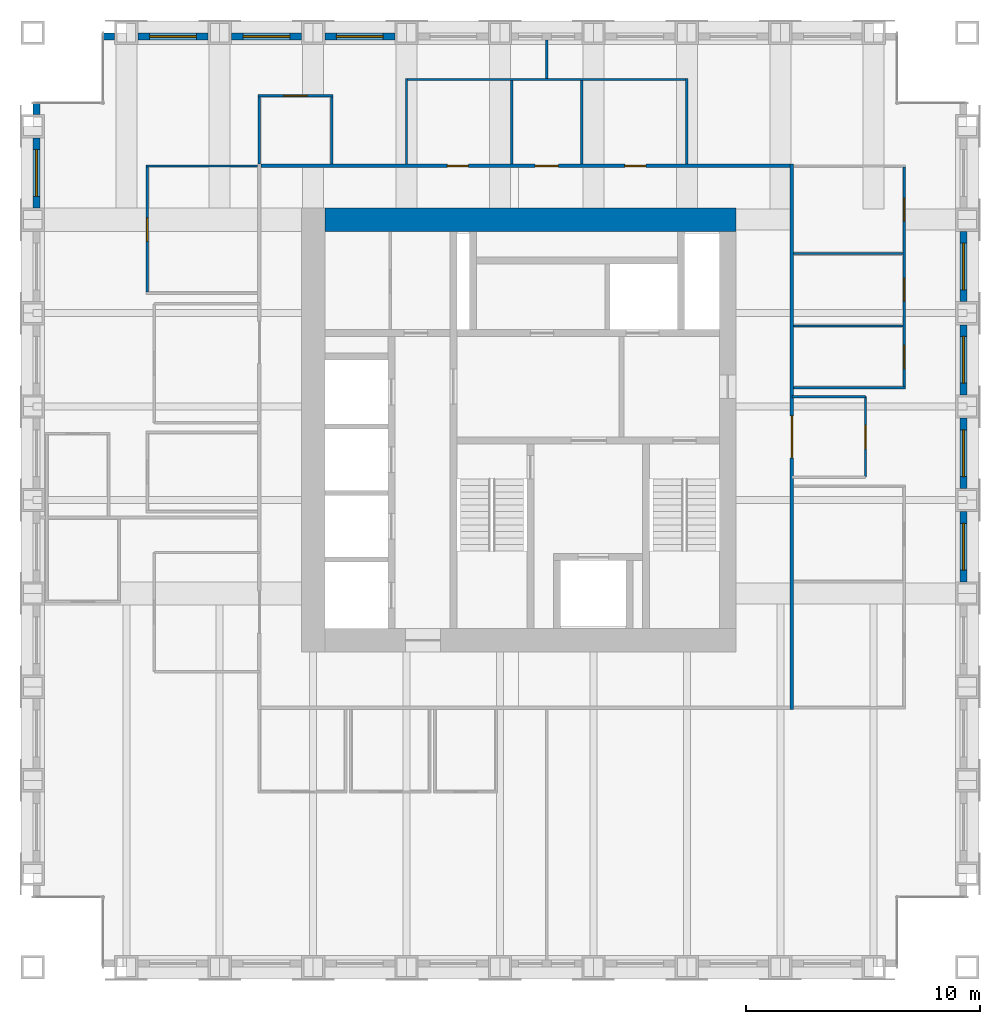
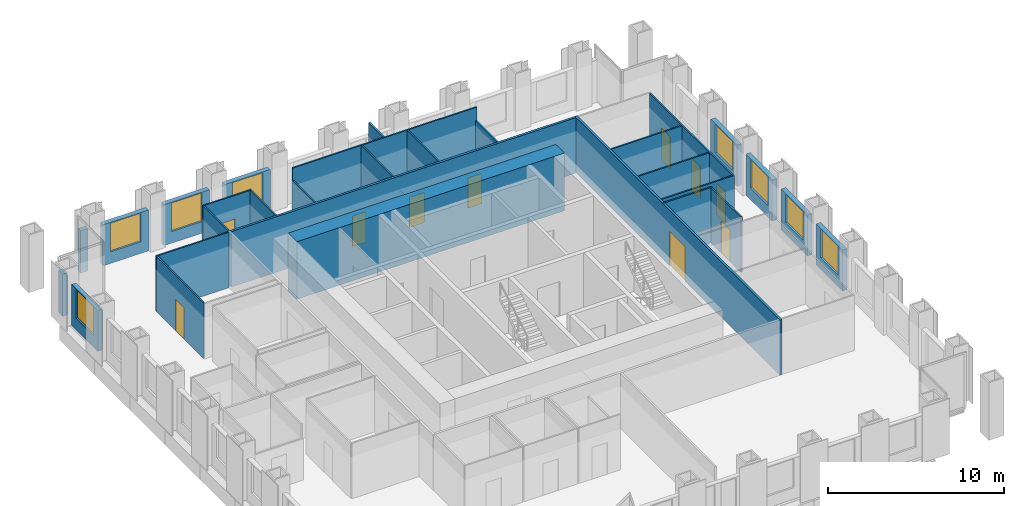
# One storey, part 10 of 13: 30 walls, 10 doors, 8 windows, 18 openings.
"""IFC4 building model written with IfcOpenShell, lengths in metres."""

from ifc_helpers import new_model, si_unit, direction, frame, frame_2d, origin, place, context, subcontext, project, spatial, rectangle, extrude, material, layer, layer_set, type_object, element, fill, save


model = new_model("IFC4")

# Units and contexts
model_context = context("Model", 3, precision=1e-05, world=origin(), true_north=direction((0.0, 1.0)))
body_context = subcontext(model_context, "Body", "Model", "MODEL_VIEW")
ifc_project = project(units=[si_unit("LENGTHUNIT", "METRE"), si_unit("AREAUNIT", "SQUARE_METRE"), si_unit("VOLUMEUNIT", "CUBIC_METRE"), si_unit("PLANEANGLEUNIT", "RADIAN"), si_unit("MASSUNIT", "GRAM", prefix="KILO")], contexts=[model_context])

# Site, building, storey
site_placement = place(None, origin())
site = spatial("IfcSite", under=ifc_project, at=site_placement, CompositionType="ELEMENT")
building_placement = place(site_placement, origin())
building = spatial("IfcBuilding", under=site, at=building_placement, Name="Rimbunsela Tower", CompositionType="ELEMENT")
storey_placement = place(building_placement, frame((0.0, 0.0, 286.199951171875)))
storey = spatial("IfcBuildingStorey", under=building, at=storey_placement, Name="L69", CompositionType="ELEMENT", Elevation=286.199951171875)

# Walls
ifc_material_1 = material(Name="Concrete fc' 80 MPa", Category="concrete")
ifc_layer_1 = layer(ifc_material_1, 1.0)
ifc_layer_set_1 = layer_set([ifc_layer_1], Name="Core wall 1000")
wall_type_1 = type_object("IfcWallType", Name="Core wall 1000", PredefinedType="SHEAR", material=ifc_layer_set_1)
wall_1_placement = place(storey_placement, frame((18.5, 36.0, -0.14990234375), z_axis=(0.0, 0.0, 1.0), x_axis=(1.0, 0.0, 0.0)))
element("IfcWall", 1, at=wall_1_placement, inside=storey, type_object=wall_type_1, Name="Core wall north", PredefinedType="SHEAR", context=body_context, shape_type="SweptSolid", body=[
    extrude(rectangle(XDim=17.60009765625, YDim=1.0, at=frame_2d((8.800048828125, 0.0))), origin(), (0.0, 0.0, 1.0), 4.0),
])
ifc_material_2 = material(Name="Gypsum board on steel studs", Category="steel")
ifc_layer_2 = layer(ifc_material_2, 0.10009765625)
ifc_layer_set_2 = layer_set([ifc_layer_2], Name="Office partition 100")
wall_type_2 = type_object("IfcWallType", Name="Office partition 100", PredefinedType="PARTITIONING", material=ifc_layer_set_2)
wall_2_placement = place(storey_placement, frame((38.574951171875, 28.800048828125, 0.0), z_axis=(0.0, 0.0, 1.0), x_axis=(1.0, 0.0, 0.0)))
element("IfcWall", 2, at=wall_2_placement, inside=storey, type_object=wall_type_2, Name="Office partition", PredefinedType="PARTITIONING", context=body_context, shape_type="SweptSolid", body=[
    extrude(rectangle(XDim=4.775146484375, YDim=0.10009765625, at=frame_2d((2.3876953125, 0.0))), origin(), (0.0, 0.0, 1.0), 3.85009765625),
])
for number, where, z_axis, x_axis, name in (
    (3, (38.574951171875, 31.449951171875, 0.0), (0.0, 0.0, 1.0), (1.0, 0.0, 0.0), "Office partition"),
    (4, (38.574951171875, 34.550048828125, 0.0), (0.0, 0.0, 1.0), (1.0, 0.0, 0.0), "Office partition"),
):
    element("IfcWall", number, at=place(storey_placement, frame(where, z_axis=z_axis, x_axis=x_axis)), inside=storey, type_object=wall_type_2, Name=name, PredefinedType="PARTITIONING", context=body_context, shape_type="SweptSolid", body=[
        extrude(rectangle(XDim=4.675048828125, YDim=0.10009765625, at=frame_2d((2.33740234375, 0.0))), origin(), (0.0, 0.0, 1.0), 3.85009765625),
    ])
wall_3_placement = place(storey_placement, frame((10.85009765625, 38.300048828125, 0.0), z_axis=(0.0, 0.0, 1.0), x_axis=(1.0, 0.0, 0.0)))
element("IfcWall", 5, at=wall_3_placement, inside=storey, type_object=wall_type_2, Name="Office partition", PredefinedType="PARTITIONING", context=body_context, shape_type="SweptSolid", body=[
    extrude(rectangle(XDim=4.77490234375, YDim=0.10009765625, at=frame_2d((2.387451171875, 0.0))), origin(), (0.0, 0.0, 1.0), 3.85009765625),
])

# Wall, opening, door
wall_4_placement = place(storey_placement, frame((15.64990234375, 41.300048828125, 0.0), z_axis=(0.0, 0.0, 1.0), x_axis=(1.0, 0.0, 0.0)))
wall_4 = element("IfcWall", 6, at=wall_4_placement, inside=storey, type_object=wall_type_2, Name="Office partition", PredefinedType="PARTITIONING", context=body_context, shape_type="SweptSolid", body=[
    extrude(rectangle(XDim=3.2001953125, YDim=0.10009765625, at=frame_2d((1.60009765625, 0.0))), origin(), (0.0, 0.0, 1.0), 3.85009765625),
])
opening_1_placement = place(wall_4_placement, frame((1.10009765625, 0.0, 0.0)))
opening_1 = element("IfcOpeningElement", 7, at=opening_1_placement, cuts=wall_4, Name="Opening D16", PredefinedType="OPENING", context=body_context, shape_type="SweptSolid", body=[
    extrude(rectangle(XDim=1.0, YDim=2.199951171875, at=frame_2d((0.5, 1.10009765625))), frame((0.0, 0.06005859375, 0.0), z_axis=(0.0, -1.0, 0.0), x_axis=(1.0, 0.0, 0.0)), (0.0, 0.0, 1.0), 0.1201171875),
])
ifc_material_3 = material(Name="Timber door", Category="wood")
door_type_1 = type_object("IfcDoorType", Name="Office door 1000", OperationType="SINGLE_SWING_LEFT", PredefinedType="DOOR", material=ifc_material_3)
door_1_placement = place(opening_1_placement, origin())
door_1 = element("IfcDoor", 8, at=door_1_placement, inside=storey, type_object=door_type_1, Name="Office door", OperationType="SINGLE_SWING_LEFT", OverallHeight=2.199951171875, OverallWidth=1.0, PredefinedType="DOOR", context=body_context, shape_type="SweptSolid", body=[
    extrude(rectangle(XDim=1.0, YDim=2.199951171875, at=frame_2d((0.5, 1.10009765625))), frame((0.0, 0.02490234375, 0.0), z_axis=(0.0, -1.0, 0.0), x_axis=(1.0, 0.0, 0.0)), (0.0, 0.0, 1.0), 0.050048828125),
])
fill(opening_1, door_1)

wall_5_placement = place(storey_placement, frame((10.89990234375, 32.89990234375, 0.0), z_axis=(0.0, 0.0, 1.0), x_axis=(0.0, 1.0, 0.0)))
wall_5 = element("IfcWall", 9, at=wall_5_placement, inside=storey, type_object=wall_type_2, Name="Office partition", PredefinedType="PARTITIONING", context=body_context, shape_type="SweptSolid", body=[
    extrude(rectangle(XDim=5.35009765625, YDim=0.10009765625, at=frame_2d((2.675048828125, 0.0))), origin(), (0.0, 0.0, 1.0), 3.85009765625),
])
opening_2_placement = place(wall_5_placement, frame((2.175048828125, 0.0, 0.0)))
opening_2 = element("IfcOpeningElement", 10, at=opening_2_placement, cuts=wall_5, Name="Opening D17", PredefinedType="OPENING", context=body_context, shape_type="SweptSolid", body=[
    extrude(rectangle(XDim=1.0, YDim=2.199951171875, at=frame_2d((0.5, 1.10009765625))), frame((0.0, 0.06005859375, 0.0), z_axis=(0.0, -1.0, 0.0), x_axis=(1.0, 0.0, 0.0)), (0.0, 0.0, 1.0), 0.1201171875),
])
ifc_material_4 = material(Name="Glazed aluminium door", Category="aluminium")
door_type_2 = type_object("IfcDoorType", Name="Meeting room door 1000 glazed", OperationType="SINGLE_SWING_RIGHT", PredefinedType="DOOR", material=ifc_material_4)
door_2_placement = place(opening_2_placement, origin())
door_2 = element("IfcDoor", 11, at=door_2_placement, inside=storey, type_object=door_type_2, Name="Meeting room door", OperationType="SINGLE_SWING_RIGHT", OverallHeight=2.199951171875, OverallWidth=1.0, PredefinedType="DOOR", context=body_context, shape_type="SweptSolid", body=[
    extrude(rectangle(XDim=1.0, YDim=2.199951171875, at=frame_2d((0.5, 1.10009765625))), frame((0.0, 0.02490234375, 0.0), z_axis=(0.0, -1.0, 0.0), x_axis=(1.0, 0.0, 0.0)), (0.0, 0.0, 1.0), 0.050048828125),
])
fill(opening_2, door_2)

# Walls
for number, where, z_axis, x_axis, name in (
    (12, (15.699951171875, 38.375, 0.0), (0.0, 0.0, 1.0), (0.0, 1.0, 0.0), "Office partition"),
    (13, (18.800048828125, 38.375, 0.0), (0.0, 0.0, 1.0), (0.0, 1.0, 0.0), "Office partition"),
):
    element("IfcWall", number, at=place(storey_placement, frame(where, z_axis=z_axis, x_axis=x_axis)), inside=storey, type_object=wall_type_2, Name=name, PredefinedType="PARTITIONING", context=body_context, shape_type="SweptSolid", body=[
        extrude(rectangle(XDim=2.875, YDim=0.10009765625, at=frame_2d((1.4375, 0.0))), origin(), (0.0, 0.0, 1.0), 3.85009765625),
    ])

# Wall, openings, doors
wall_6_placement = place(storey_placement, frame((43.300048828125, 28.85009765625, 0.0), z_axis=(0.0, 0.0, 1.0), x_axis=(0.0, 1.0, 0.0)))
wall_6 = element("IfcWall", 14, at=wall_6_placement, inside=storey, type_object=wall_type_2, Name="Office partition", PredefinedType="PARTITIONING", context=body_context, shape_type="SweptSolid", body=[
    extrude(rectangle(XDim=9.39990234375, YDim=0.10009765625, at=frame_2d((4.699951171875, 0.0))), origin(), (0.0, 0.0, 1.0), 3.85009765625),
])
opening_3_placement = place(wall_6_placement, frame((0.77490234375, 0.0, 0.0)))
opening_3 = element("IfcOpeningElement", 15, at=opening_3_placement, cuts=wall_6, Name="Opening D16", PredefinedType="OPENING", context=body_context, shape_type="SweptSolid", body=[
    extrude(rectangle(XDim=1.0, YDim=2.199951171875, at=frame_2d((0.5, 1.10009765625))), frame((0.0, 0.06005859375, 0.0), z_axis=(0.0, -1.0, 0.0), x_axis=(1.0, 0.0, 0.0)), (0.0, 0.0, 1.0), 0.1201171875),
])
opening_4_placement = place(wall_6_placement, frame((3.64990234375, 0.0, 0.0)))
opening_4 = element("IfcOpeningElement", 16, at=opening_4_placement, cuts=wall_6, Name="Opening D16", PredefinedType="OPENING", context=body_context, shape_type="SweptSolid", body=[
    extrude(rectangle(XDim=1.0, YDim=2.199951171875, at=frame_2d((0.5, 1.10009765625))), frame((0.0, 0.06005859375, 0.0), z_axis=(0.0, -1.0, 0.0), x_axis=(1.0, 0.0, 0.0)), (0.0, 0.0, 1.0), 0.1201171875),
])
opening_5_placement = place(wall_6_placement, frame((7.074951171875, 0.0, 0.0)))
opening_5 = element("IfcOpeningElement", 17, at=opening_5_placement, cuts=wall_6, Name="Opening D17", PredefinedType="OPENING", context=body_context, shape_type="SweptSolid", body=[
    extrude(rectangle(XDim=1.0, YDim=2.199951171875, at=frame_2d((0.5, 1.10009765625))), frame((0.0, 0.06005859375, 0.0), z_axis=(0.0, -1.0, 0.0), x_axis=(1.0, 0.0, 0.0)), (0.0, 0.0, 1.0), 0.1201171875),
])
door_3_placement = place(opening_5_placement, origin())
door_3 = element("IfcDoor", 18, at=door_3_placement, inside=storey, type_object=door_type_2, Name="Meeting room door", OperationType="SINGLE_SWING_RIGHT", OverallHeight=2.199951171875, OverallWidth=1.0, PredefinedType="DOOR", context=body_context, shape_type="SweptSolid", body=[
    extrude(rectangle(XDim=1.0, YDim=2.199951171875, at=frame_2d((0.5, 1.10009765625))), frame((0.0, 0.02490234375, 0.0), z_axis=(0.0, -1.0, 0.0), x_axis=(1.0, 0.0, 0.0)), (0.0, 0.0, 1.0), 0.050048828125),
])
fill(opening_5, door_3)
door_4_placement = place(opening_3_placement, origin())
door_4 = element("IfcDoor", 19, at=door_4_placement, inside=storey, type_object=door_type_1, Name="Office door", OperationType="SINGLE_SWING_LEFT", OverallHeight=2.199951171875, OverallWidth=1.0, PredefinedType="DOOR", context=body_context, shape_type="SweptSolid", body=[
    extrude(rectangle(XDim=1.0, YDim=2.199951171875, at=frame_2d((0.5, 1.10009765625))), frame((0.0, 0.02490234375, 0.0), z_axis=(0.0, -1.0, 0.0), x_axis=(1.0, 0.0, 0.0)), (0.0, 0.0, 1.0), 0.050048828125),
])
fill(opening_3, door_4)
door_5_placement = place(opening_4_placement, origin())
door_5 = element("IfcDoor", 20, at=door_5_placement, inside=storey, type_object=door_type_1, Name="Office door", OperationType="SINGLE_SWING_LEFT", OverallHeight=2.199951171875, OverallWidth=1.0, PredefinedType="DOOR", context=body_context, shape_type="SweptSolid", body=[
    extrude(rectangle(XDim=1.0, YDim=2.199951171875, at=frame_2d((0.5, 1.10009765625))), frame((0.0, 0.02490234375, 0.0), z_axis=(0.0, -1.0, 0.0), x_axis=(1.0, 0.0, 0.0)), (0.0, 0.0, 1.0), 0.050048828125),
])
fill(opening_4, door_5)

# Wall, opening, door
wall_7_placement = place(storey_placement, frame((41.64990234375, 24.97509765625, 0.0), z_axis=(0.0, 0.0, 1.0), x_axis=(0.0, 1.0, 0.0)))
wall_7 = element("IfcWall", 21, at=wall_7_placement, inside=storey, type_object=wall_type_2, Name="Office partition", PredefinedType="PARTITIONING", context=body_context, shape_type="SweptSolid", body=[
    extrude(rectangle(XDim=3.449951171875, YDim=0.10009765625, at=frame_2d((1.72509765625, 0.0))), origin(), (0.0, 0.0, 1.0), 3.85009765625),
])
opening_6_placement = place(wall_7_placement, frame((1.22509765625, 0.0, 0.0)))
opening_6 = element("IfcOpeningElement", 22, at=opening_6_placement, cuts=wall_7, Name="Opening D17", PredefinedType="OPENING", context=body_context, shape_type="SweptSolid", body=[
    extrude(rectangle(XDim=1.0, YDim=2.199951171875, at=frame_2d((0.5, 1.10009765625))), frame((0.0, 0.06005859375, 0.0), z_axis=(0.0, -1.0, 0.0), x_axis=(1.0, 0.0, 0.0)), (0.0, 0.0, 1.0), 0.1201171875),
])
door_6_placement = place(opening_6_placement, origin())
door_6 = element("IfcDoor", 23, at=door_6_placement, inside=storey, type_object=door_type_2, Name="Reception door", OperationType="SINGLE_SWING_RIGHT", OverallHeight=2.199951171875, OverallWidth=1.0, PredefinedType="DOOR", context=body_context, shape_type="SweptSolid", body=[
    extrude(rectangle(XDim=1.0, YDim=2.199951171875, at=frame_2d((0.5, 1.10009765625))), frame((0.0, 0.02490234375, 0.0), z_axis=(0.0, -1.0, 0.0), x_axis=(1.0, 0.0, 0.0)), (0.0, 0.0, 1.0), 0.050048828125),
])
fill(opening_6, door_6)

# Wall
wall_8_placement = place(storey_placement, frame((41.64990234375, 28.425048828125, 0.0), z_axis=(0.0, 0.0, 1.0), x_axis=(-1.0, 0.0, 0.0)))
element("IfcWall", 24, at=wall_8_placement, inside=storey, type_object=wall_type_2, Name="Office partition", PredefinedType="PARTITIONING", context=body_context, shape_type="SweptSolid", body=[
    extrude(rectangle(XDim=3.14990234375, YDim=0.10009765625, at=frame_2d((1.574951171875, 0.0))), origin(), (0.0, 0.0, 1.0), 3.85009765625),
])

# Wall, opening, window
ifc_material_5 = material(Name="Precast concrete fc' 35 MPa", Category="concrete")
ifc_layer_3 = layer(ifc_material_5, 0.300048828125)
ifc_layer_set_3 = layer_set([ifc_layer_3], Name="Precast concrete fc' 35 MPa")
wall_type_3 = type_object("IfcWallType", Name="Precast facade panel 300", PredefinedType="ELEMENTEDWALL", material=ifc_layer_set_3)
wall_9_placement = place(storey_placement, frame((45.85009765625, 20.5, 0.0), z_axis=(0.0, 0.0, 1.0), x_axis=(0.0, 1.0, 0.0)))
wall_9 = element("IfcWall", 25, at=wall_9_placement, inside=storey, type_object=wall_type_3, Name="Facade panel E L69", PredefinedType="ELEMENTEDWALL", context=body_context, shape_type="SweptSolid", body=[
    extrude(rectangle(XDim=3.0, YDim=0.300048828125, at=frame_2d((1.5, 0.0))), origin(), (0.0, 0.0, 1.0), 2.85009765625),
])
opening_7_placement = place(wall_9_placement, frame((0.5, 0.0, 0.800048828125)))
opening_7 = element("IfcOpeningElement", 26, at=opening_7_placement, cuts=wall_9, Name="Opening W1", PredefinedType="OPENING", context=body_context, shape_type="SweptSolid", body=[
    extrude(rectangle(XDim=2.0, YDim=2.0, at=frame_2d((1.0, 1.0))), frame((0.0, 0.159912109375, 0.0), z_axis=(0.0, -1.0, 0.0), x_axis=(1.0, 0.0, 0.0)), (0.0, 0.0, 1.0), 0.320068359375),
])
ifc_material_6 = material(Name="Clear glass in aluminium frame", Category="aluminium")
window_type = type_object("IfcWindowType", Name="Window W1 2000x2000", PartitioningType="DOUBLE_PANEL_VERTICAL", PredefinedType="WINDOW", material=ifc_material_6)
window_1_placement = place(opening_7_placement, origin())
window_1 = element("IfcWindow", 27, at=window_1_placement, inside=storey, type_object=window_type, Name="Window L69", OverallHeight=2.0, OverallWidth=2.0, PartitioningType="SINGLE_PANEL", PredefinedType="WINDOW", context=body_context, shape_type="SweptSolid", body=[
    extrude(rectangle(XDim=2.0, YDim=2.0, at=frame_2d((1.0, 1.0))), frame((0.0, 0.030029296875, 0.0), z_axis=(0.0, -1.0, 0.0), x_axis=(1.0, 0.0, 0.0)), (0.0, 0.0, 1.0), 0.06005859375),
])
fill(opening_7, window_1)

wall_10_placement = place(storey_placement, frame((45.85009765625, 24.5, 0.0), z_axis=(0.0, 0.0, 1.0), x_axis=(0.0, 1.0, 0.0)))
wall_10 = element("IfcWall", 28, at=wall_10_placement, inside=storey, type_object=wall_type_3, Name="Facade panel E L69", PredefinedType="ELEMENTEDWALL", context=body_context, shape_type="SweptSolid", body=[
    extrude(rectangle(XDim=3.0, YDim=0.300048828125, at=frame_2d((1.5, 0.0))), origin(), (0.0, 0.0, 1.0), 2.85009765625),
])
opening_8_placement = place(wall_10_placement, frame((0.5, 0.0, 0.800048828125)))
opening_8 = element("IfcOpeningElement", 29, at=opening_8_placement, cuts=wall_10, Name="Opening W1", PredefinedType="OPENING", context=body_context, shape_type="SweptSolid", body=[
    extrude(rectangle(XDim=2.0, YDim=2.0, at=frame_2d((1.0, 1.0))), frame((0.0, 0.159912109375, 0.0), z_axis=(0.0, -1.0, 0.0), x_axis=(1.0, 0.0, 0.0)), (0.0, 0.0, 1.0), 0.320068359375),
])
window_2_placement = place(opening_8_placement, origin())
window_2 = element("IfcWindow", 30, at=window_2_placement, inside=storey, type_object=window_type, Name="Window L69", OverallHeight=2.0, OverallWidth=2.0, PartitioningType="SINGLE_PANEL", PredefinedType="WINDOW", context=body_context, shape_type="SweptSolid", body=[
    extrude(rectangle(XDim=2.0, YDim=2.0, at=frame_2d((1.0, 1.0))), frame((0.0, 0.030029296875, 0.0), z_axis=(0.0, -1.0, 0.0), x_axis=(1.0, 0.0, 0.0)), (0.0, 0.0, 1.0), 0.06005859375),
])
fill(opening_8, window_2)

wall_11_placement = place(storey_placement, frame((45.85009765625, 28.5, 0.0), z_axis=(0.0, 0.0, 1.0), x_axis=(0.0, 1.0, 0.0)))
wall_11 = element("IfcWall", 31, at=wall_11_placement, inside=storey, type_object=wall_type_3, Name="Facade panel E L69", PredefinedType="ELEMENTEDWALL", context=body_context, shape_type="SweptSolid", body=[
    extrude(rectangle(XDim=3.0, YDim=0.300048828125, at=frame_2d((1.5, 0.0))), origin(), (0.0, 0.0, 1.0), 2.85009765625),
])
opening_9_placement = place(wall_11_placement, frame((0.5, 0.0, 0.800048828125)))
opening_9 = element("IfcOpeningElement", 32, at=opening_9_placement, cuts=wall_11, Name="Opening W1", PredefinedType="OPENING", context=body_context, shape_type="SweptSolid", body=[
    extrude(rectangle(XDim=2.0, YDim=2.0, at=frame_2d((1.0, 1.0))), frame((0.0, 0.159912109375, 0.0), z_axis=(0.0, -1.0, 0.0), x_axis=(1.0, 0.0, 0.0)), (0.0, 0.0, 1.0), 0.320068359375),
])
window_3_placement = place(opening_9_placement, origin())
window_3 = element("IfcWindow", 33, at=window_3_placement, inside=storey, type_object=window_type, Name="Window L69", OverallHeight=2.0, OverallWidth=2.0, PartitioningType="SINGLE_PANEL", PredefinedType="WINDOW", context=body_context, shape_type="SweptSolid", body=[
    extrude(rectangle(XDim=2.0, YDim=2.0, at=frame_2d((1.0, 1.0))), frame((0.0, 0.030029296875, 0.0), z_axis=(0.0, -1.0, 0.0), x_axis=(1.0, 0.0, 0.0)), (0.0, 0.0, 1.0), 0.06005859375),
])
fill(opening_9, window_3)

wall_12_placement = place(storey_placement, frame((45.85009765625, 32.5, 0.0), z_axis=(0.0, 0.0, 1.0), x_axis=(0.0, 1.0, 0.0)))
wall_12 = element("IfcWall", 34, at=wall_12_placement, inside=storey, type_object=wall_type_3, Name="Facade panel E L69", PredefinedType="ELEMENTEDWALL", context=body_context, shape_type="SweptSolid", body=[
    extrude(rectangle(XDim=3.0, YDim=0.300048828125, at=frame_2d((1.5, 0.0))), origin(), (0.0, 0.0, 1.0), 2.85009765625),
])
opening_10_placement = place(wall_12_placement, frame((0.5, 0.0, 0.800048828125)))
opening_10 = element("IfcOpeningElement", 35, at=opening_10_placement, cuts=wall_12, Name="Opening W1", PredefinedType="OPENING", context=body_context, shape_type="SweptSolid", body=[
    extrude(rectangle(XDim=2.0, YDim=2.0, at=frame_2d((1.0, 1.0))), frame((0.0, 0.159912109375, 0.0), z_axis=(0.0, -1.0, 0.0), x_axis=(1.0, 0.0, 0.0)), (0.0, 0.0, 1.0), 0.320068359375),
])
window_4_placement = place(opening_10_placement, origin())
window_4 = element("IfcWindow", 36, at=window_4_placement, inside=storey, type_object=window_type, Name="Window L69", OverallHeight=2.0, OverallWidth=2.0, PartitioningType="SINGLE_PANEL", PredefinedType="WINDOW", context=body_context, shape_type="SweptSolid", body=[
    extrude(rectangle(XDim=2.0, YDim=2.0, at=frame_2d((1.0, 1.0))), frame((0.0, 0.030029296875, 0.0), z_axis=(0.0, -1.0, 0.0), x_axis=(1.0, 0.0, 0.0)), (0.0, 0.0, 1.0), 0.06005859375),
])
fill(opening_10, window_4)

# Wall
wall_13_placement = place(storey_placement, frame((9.5, 43.85009765625, 0.0), z_axis=(0.0, 0.0, 1.0), x_axis=(-1.0, 0.0, 0.0)))
element("IfcWall", 37, at=wall_13_placement, inside=storey, type_object=wall_type_3, Name="Facade panel N L69", PredefinedType="ELEMENTEDWALL", context=body_context, shape_type="SweptSolid", body=[
    extrude(rectangle(XDim=0.469970703125, YDim=0.300048828125, at=frame_2d((0.23486328125, 0.0))), origin(), (0.0, 0.0, 1.0), 2.949951171875),
])

# Wall, opening, window
wall_14_placement = place(storey_placement, frame((13.5, 43.85009765625, 0.0), z_axis=(0.0, 0.0, 1.0), x_axis=(-1.0, 0.0, 0.0)))
wall_14 = element("IfcWall", 38, at=wall_14_placement, inside=storey, type_object=wall_type_3, Name="Facade panel N L69", PredefinedType="ELEMENTEDWALL", context=body_context, shape_type="SweptSolid", body=[
    extrude(rectangle(XDim=3.0, YDim=0.300048828125, at=frame_2d((1.5, 0.0))), origin(), (0.0, 0.0, 1.0), 2.85009765625),
])
opening_11_placement = place(wall_14_placement, frame((0.5, 0.0, 0.800048828125)))
opening_11 = element("IfcOpeningElement", 39, at=opening_11_placement, cuts=wall_14, Name="Opening W1", PredefinedType="OPENING", context=body_context, shape_type="SweptSolid", body=[
    extrude(rectangle(XDim=2.0, YDim=2.0, at=frame_2d((1.0, 1.0))), frame((0.0, 0.159912109375, 0.0), z_axis=(0.0, -1.0, 0.0), x_axis=(1.0, 0.0, 0.0)), (0.0, 0.0, 1.0), 0.320068359375),
])
window_5_placement = place(opening_11_placement, origin())
window_5 = element("IfcWindow", 40, at=window_5_placement, inside=storey, type_object=window_type, Name="Window L69", OverallHeight=2.0, OverallWidth=2.0, PartitioningType="SINGLE_PANEL", PredefinedType="WINDOW", context=body_context, shape_type="SweptSolid", body=[
    extrude(rectangle(XDim=2.0, YDim=2.0, at=frame_2d((1.0, 1.0))), frame((0.0, 0.030029296875, 0.0), z_axis=(0.0, -1.0, 0.0), x_axis=(1.0, 0.0, 0.0)), (0.0, 0.0, 1.0), 0.06005859375),
])
fill(opening_11, window_5)

wall_15_placement = place(storey_placement, frame((17.5, 43.85009765625, 0.0), z_axis=(0.0, 0.0, 1.0), x_axis=(-1.0, 0.0, 0.0)))
wall_15 = element("IfcWall", 41, at=wall_15_placement, inside=storey, type_object=wall_type_3, Name="Facade panel N L69", PredefinedType="ELEMENTEDWALL", context=body_context, shape_type="SweptSolid", body=[
    extrude(rectangle(XDim=3.0, YDim=0.300048828125, at=frame_2d((1.5, 0.0))), origin(), (0.0, 0.0, 1.0), 2.85009765625),
])
opening_12_placement = place(wall_15_placement, frame((0.5, 0.0, 0.800048828125)))
opening_12 = element("IfcOpeningElement", 42, at=opening_12_placement, cuts=wall_15, Name="Opening W1", PredefinedType="OPENING", context=body_context, shape_type="SweptSolid", body=[
    extrude(rectangle(XDim=2.0, YDim=2.0, at=frame_2d((1.0, 1.0))), frame((0.0, 0.159912109375, 0.0), z_axis=(0.0, -1.0, 0.0), x_axis=(1.0, 0.0, 0.0)), (0.0, 0.0, 1.0), 0.320068359375),
])
window_6_placement = place(opening_12_placement, origin())
window_6 = element("IfcWindow", 43, at=window_6_placement, inside=storey, type_object=window_type, Name="Window L69", OverallHeight=2.0, OverallWidth=2.0, PartitioningType="SINGLE_PANEL", PredefinedType="WINDOW", context=body_context, shape_type="SweptSolid", body=[
    extrude(rectangle(XDim=2.0, YDim=2.0, at=frame_2d((1.0, 1.0))), frame((0.0, 0.030029296875, 0.0), z_axis=(0.0, -1.0, 0.0), x_axis=(1.0, 0.0, 0.0)), (0.0, 0.0, 1.0), 0.06005859375),
])
fill(opening_12, window_6)

wall_16_placement = place(storey_placement, frame((21.5, 43.85009765625, 0.0), z_axis=(0.0, 0.0, 1.0), x_axis=(-1.0, 0.0, 0.0)))
wall_16 = element("IfcWall", 44, at=wall_16_placement, inside=storey, type_object=wall_type_3, Name="Facade panel N L69", PredefinedType="ELEMENTEDWALL", context=body_context, shape_type="SweptSolid", body=[
    extrude(rectangle(XDim=3.0, YDim=0.300048828125, at=frame_2d((1.5, 0.0))), origin(), (0.0, 0.0, 1.0), 2.85009765625),
])
opening_13_placement = place(wall_16_placement, frame((0.5, 0.0, 0.800048828125)))
opening_13 = element("IfcOpeningElement", 45, at=opening_13_placement, cuts=wall_16, Name="Opening W1", PredefinedType="OPENING", context=body_context, shape_type="SweptSolid", body=[
    extrude(rectangle(XDim=2.0, YDim=2.0, at=frame_2d((1.0, 1.0))), frame((0.0, 0.159912109375, 0.0), z_axis=(0.0, -1.0, 0.0), x_axis=(1.0, 0.0, 0.0)), (0.0, 0.0, 1.0), 0.320068359375),
])
window_7_placement = place(opening_13_placement, origin())
window_7 = element("IfcWindow", 46, at=window_7_placement, inside=storey, type_object=window_type, Name="Window L69", OverallHeight=2.0, OverallWidth=2.0, PartitioningType="SINGLE_PANEL", PredefinedType="WINDOW", context=body_context, shape_type="SweptSolid", body=[
    extrude(rectangle(XDim=2.0, YDim=2.0, at=frame_2d((1.0, 1.0))), frame((0.0, 0.030029296875, 0.0), z_axis=(0.0, -1.0, 0.0), x_axis=(1.0, 0.0, 0.0)), (0.0, 0.0, 1.0), 0.06005859375),
])
fill(opening_13, window_7)

wall_17_placement = place(storey_placement, frame((6.14990234375, 39.5, 0.0), z_axis=(0.0, 0.0, 1.0), x_axis=(0.0, -1.0, 0.0)))
wall_17 = element("IfcWall", 47, at=wall_17_placement, inside=storey, type_object=wall_type_3, Name="Facade panel W L69", PredefinedType="ELEMENTEDWALL", context=body_context, shape_type="SweptSolid", body=[
    extrude(rectangle(XDim=3.0, YDim=0.300048828125, at=frame_2d((1.5, 0.0))), origin(), (0.0, 0.0, 1.0), 2.85009765625),
])
opening_14_placement = place(wall_17_placement, frame((0.5, 0.0, 0.800048828125)))
opening_14 = element("IfcOpeningElement", 48, at=opening_14_placement, cuts=wall_17, Name="Opening W1", PredefinedType="OPENING", context=body_context, shape_type="SweptSolid", body=[
    extrude(rectangle(XDim=2.0, YDim=2.0, at=frame_2d((1.0, 1.0))), frame((0.0, 0.159912109375, 0.0), z_axis=(0.0, -1.0, 0.0), x_axis=(1.0, 0.0, 0.0)), (0.0, 0.0, 1.0), 0.320068359375),
])
window_8_placement = place(opening_14_placement, origin())
window_8 = element("IfcWindow", 49, at=window_8_placement, inside=storey, type_object=window_type, Name="Window L69", OverallHeight=2.0, OverallWidth=2.0, PartitioningType="SINGLE_PANEL", PredefinedType="WINDOW", context=body_context, shape_type="SweptSolid", body=[
    extrude(rectangle(XDim=2.0, YDim=2.0, at=frame_2d((1.0, 1.0))), frame((0.0, 0.030029296875, 0.0), z_axis=(0.0, -1.0, 0.0), x_axis=(1.0, 0.0, 0.0)), (0.0, 0.0, 1.0), 0.06005859375),
])
fill(opening_14, window_8)

# Wall
wall_18_placement = place(storey_placement, frame((6.14990234375, 40.969970703125, 0.0), z_axis=(0.0, 0.0, 1.0), x_axis=(0.0, -1.0, 0.0)))
element("IfcWall", 50, at=wall_18_placement, inside=storey, type_object=wall_type_3, Name="Facade panel W L69", PredefinedType="ELEMENTEDWALL", context=body_context, shape_type="SweptSolid", body=[
    extrude(rectangle(XDim=0.469970703125, YDim=0.300048828125, at=frame_2d((0.23486328125, 0.0))), origin(), (0.0, 0.0, 1.0), 2.949951171875),
])

# Wall, opening, door
ifc_material_7 = material(Name="Fire-rated gypsum board on steel studs, EI 60", Category="steel")
ifc_layer_4 = layer(ifc_material_7, 0.14990234375)
ifc_layer_set_4 = layer_set([ifc_layer_4], Name="Rated corridor wall 150")
wall_type_4 = type_object("IfcWallType", Name="Rated corridor wall 150", PredefinedType="PARTITIONING", material=ifc_layer_set_4)
wall_19_placement = place(storey_placement, frame((38.5, 15.02490234375, 0.0), z_axis=(0.0, 0.0, 1.0), x_axis=(0.0, 1.0, 0.0)))
wall_19 = element("IfcWall", 51, at=wall_19_placement, inside=storey, type_object=wall_type_4, Name="Corridor wall east", PredefinedType="PARTITIONING", context=body_context, shape_type="SweptSolid", body=[
    extrude(rectangle(XDim=23.35009765625, YDim=0.14990234375, at=frame_2d((11.675048828125, 0.0))), origin(), (0.0, 0.0, 1.0), 3.85009765625),
])
opening_15_placement = place(wall_19_placement, frame((10.77490234375, 0.0, 0.0)))
opening_15 = element("IfcOpeningElement", 52, at=opening_15_placement, cuts=wall_19, Name="Opening D09", PredefinedType="OPENING", context=body_context, shape_type="SweptSolid", body=[
    extrude(rectangle(XDim=1.800048828125, YDim=2.39990234375, at=frame_2d((0.89990234375, 1.199951171875))), frame((0.0, 0.0849609375, 0.0), z_axis=(0.0, -1.0, 0.0), x_axis=(1.0, 0.0, 0.0)), (0.0, 0.0, 1.0), 0.169921875),
])
ifc_material_8 = material(Name="Glazed aluminium door, fire rated", Category="aluminium")
door_type_3 = type_object("IfcDoorType", Name="Tenancy door 1800 glazed", OperationType="DOUBLE_DOOR_DOUBLE_SWING", PredefinedType="DOOR", material=ifc_material_8)
door_7_placement = place(opening_15_placement, origin())
door_7 = element("IfcDoor", 53, at=door_7_placement, inside=storey, type_object=door_type_3, Name="Tenancy door", OperationType="DOUBLE_DOOR_DOUBLE_SWING", OverallHeight=2.39990234375, OverallWidth=1.800048828125, PredefinedType="DOOR", context=body_context, shape_type="SweptSolid", body=[
    extrude(rectangle(XDim=1.800048828125, YDim=2.39990234375, at=frame_2d((0.89990234375, 1.199951171875))), frame((0.0, 0.02490234375, 0.0), z_axis=(0.0, -1.0, 0.0), x_axis=(1.0, 0.0, 0.0)), (0.0, 0.0, 1.0), 0.050048828125),
])
fill(opening_15, door_7)

# Wall, openings, doors
wall_20_placement = place(storey_placement, frame((15.77490234375, 38.300048828125, 0.0), z_axis=(0.0, 0.0, 1.0), x_axis=(1.0, 0.0, 0.0)))
wall_20 = element("IfcWall", 54, at=wall_20_placement, inside=storey, type_object=wall_type_4, Name="Corridor wall north", PredefinedType="PARTITIONING", context=body_context, shape_type="SweptSolid", body=[
    extrude(rectangle(XDim=22.650146484375, YDim=0.14990234375, at=frame_2d((11.3251953125, 0.0))), origin(), (0.0, 0.0, 1.0), 3.85009765625),
])
opening_16_placement = place(wall_20_placement, frame((7.97509765625, 0.0, 0.0)))
opening_16 = element("IfcOpeningElement", 55, at=opening_16_placement, cuts=wall_20, Name="Opening D04", PredefinedType="OPENING", context=body_context, shape_type="SweptSolid", body=[
    extrude(rectangle(XDim=0.89990234375, YDim=2.10009765625, at=frame_2d((0.449951171875, 1.050048828125))), frame((0.0, 0.0849609375, 0.0), z_axis=(0.0, -1.0, 0.0), x_axis=(1.0, 0.0, 0.0)), (0.0, 0.0, 1.0), 0.169921875),
])
opening_17_placement = place(wall_20_placement, frame((11.72509765625, 0.0, 0.0)))
opening_17 = element("IfcOpeningElement", 56, at=opening_17_placement, cuts=wall_20, Name="Opening D05", PredefinedType="OPENING", context=body_context, shape_type="SweptSolid", body=[
    extrude(rectangle(XDim=1.0, YDim=2.10009765625, at=frame_2d((0.5, 1.050048828125))), frame((0.0, 0.0849609375, 0.0), z_axis=(0.0, -1.0, 0.0), x_axis=(1.0, 0.0, 0.0)), (0.0, 0.0, 1.0), 0.169921875),
])
opening_18_placement = place(wall_20_placement, frame((15.574951171875, 0.0, 0.0)))
opening_18 = element("IfcOpeningElement", 57, at=opening_18_placement, cuts=wall_20, Name="Opening D04", PredefinedType="OPENING", context=body_context, shape_type="SweptSolid", body=[
    extrude(rectangle(XDim=0.89990234375, YDim=2.10009765625, at=frame_2d((0.449951171875, 1.050048828125))), frame((0.0, 0.0849609375, 0.0), z_axis=(0.0, -1.0, 0.0), x_axis=(1.0, 0.0, 0.0)), (0.0, 0.0, 1.0), 0.169921875),
])
ifc_material_9 = material(Name="Timber door", Category="wood")
door_type_4 = type_object("IfcDoorType", Name="Accessible WC door 1000", OperationType="SLIDING_TO_LEFT", PredefinedType="DOOR", material=ifc_material_9)
door_8_placement = place(opening_17_placement, origin())
door_8 = element("IfcDoor", 58, at=door_8_placement, inside=storey, type_object=door_type_4, Name="Accessible WC door", OperationType="SLIDING_TO_LEFT", OverallHeight=2.10009765625, OverallWidth=1.0, PredefinedType="DOOR", context=body_context, shape_type="SweptSolid", body=[
    extrude(rectangle(XDim=1.0, YDim=2.10009765625, at=frame_2d((0.5, 1.050048828125))), frame((0.0, 0.02490234375, 0.0), z_axis=(0.0, -1.0, 0.0), x_axis=(1.0, 0.0, 0.0)), (0.0, 0.0, 1.0), 0.050048828125),
])
fill(opening_17, door_8)
ifc_material_10 = material(Name="Timber door", Category="wood")
door_type_5 = type_object("IfcDoorType", Name="Toilet door 900", OperationType="SINGLE_SWING_LEFT", PredefinedType="DOOR", material=ifc_material_10)
door_9_placement = place(opening_16_placement, origin())
door_9 = element("IfcDoor", 59, at=door_9_placement, inside=storey, type_object=door_type_5, Name="Female WC door", OperationType="SINGLE_SWING_LEFT", OverallHeight=2.10009765625, OverallWidth=0.89990234375, PredefinedType="DOOR", context=body_context, shape_type="SweptSolid", body=[
    extrude(rectangle(XDim=0.89990234375, YDim=2.10009765625, at=frame_2d((0.449951171875, 1.050048828125))), frame((0.0, 0.02490234375, 0.0), z_axis=(0.0, -1.0, 0.0), x_axis=(1.0, 0.0, 0.0)), (0.0, 0.0, 1.0), 0.050048828125),
])
fill(opening_16, door_9)
door_10_placement = place(opening_18_placement, origin())
door_10 = element("IfcDoor", 60, at=door_10_placement, inside=storey, type_object=door_type_5, Name="Male WC door", OperationType="SINGLE_SWING_LEFT", OverallHeight=2.10009765625, OverallWidth=0.89990234375, PredefinedType="DOOR", context=body_context, shape_type="SweptSolid", body=[
    extrude(rectangle(XDim=0.89990234375, YDim=2.10009765625, at=frame_2d((0.449951171875, 1.050048828125))), frame((0.0, 0.02490234375, 0.0), z_axis=(0.0, -1.0, 0.0), x_axis=(1.0, 0.0, 0.0)), (0.0, 0.0, 1.0), 0.050048828125),
])
fill(opening_18, door_10)

# Walls
ifc_material_11 = material(Name="Gypsum board on steel studs", Category="steel")
ifc_layer_5 = layer(ifc_material_11, 0.1201171875)
ifc_layer_set_5 = layer_set([ifc_layer_5], Name="Tenancy partition 120")
wall_type_5 = type_object("IfcWallType", Name="Tenancy partition 120", PredefinedType="PARTITIONING", material=ifc_layer_set_5)
wall_21_placement = place(storey_placement, frame((28.0, 42.050048828125, 0.0), z_axis=(0.0, 0.0, 1.0), x_axis=(0.0, 1.0, 0.0)))
element("IfcWall", 61, at=wall_21_placement, inside=storey, type_object=wall_type_5, Name="Tenancy partition north", PredefinedType="PARTITIONING", context=body_context, shape_type="SweptSolid", body=[
    extrude(rectangle(XDim=1.64990234375, YDim=0.1201171875, at=frame_2d((0.824951171875, 0.0))), origin(), (0.0, 0.0, 1.0), 3.85009765625),
])
ifc_material_12 = material(Name="Concrete blockwork", Category="masonry")
ifc_layer_6 = layer(ifc_material_12, 0.10009765625)
ifc_layer_set_6 = layer_set([ifc_layer_6], Name="Toilet partition 100")
wall_type_6 = type_object("IfcWallType", Name="Toilet partition 100", PredefinedType="PARTITIONING", material=ifc_layer_set_6)
for number, where, z_axis, x_axis, name in (
    (62, (22.0, 38.375, 0.0), (0.0, 0.0, 1.0), (0.0, 1.0, 0.0), "Toilet block wall west"),
    (63, (34.0, 38.375, 0.0), (0.0, 0.0, 1.0), (0.0, 1.0, 0.0), "Toilet block wall east"),
):
    element("IfcWall", number, at=place(storey_placement, frame(where, z_axis=z_axis, x_axis=x_axis)), inside=storey, type_object=wall_type_6, Name=name, PredefinedType="PARTITIONING", context=body_context, shape_type="SweptSolid", body=[
        extrude(rectangle(XDim=3.675048828125, YDim=0.10009765625, at=frame_2d((1.83740234375, 0.0))), origin(), (0.0, 0.0, 1.0), 2.949951171875),
    ])
wall_22_placement = place(storey_placement, frame((21.949951171875, 42.0, 0.0), z_axis=(0.0, 0.0, 1.0), x_axis=(1.0, 0.0, 0.0)))
element("IfcWall", 64, at=wall_22_placement, inside=storey, type_object=wall_type_6, Name="Toilet block wall north", PredefinedType="PARTITIONING", context=body_context, shape_type="SweptSolid", body=[
    extrude(rectangle(XDim=12.10009765625, YDim=0.10009765625, at=frame_2d((6.050048828125, 0.0))), origin(), (0.0, 0.0, 1.0), 3.85009765625),
])
for number, where, z_axis, x_axis, name in (
    (65, (26.5, 38.375, 0.0), (0.0, 0.0, 1.0), (0.0, 1.0, 0.0), "Toilet partition"),
    (66, (29.5, 38.375, 0.0), (0.0, 0.0, 1.0), (0.0, 1.0, 0.0), "Toilet partition"),
):
    element("IfcWall", number, at=place(storey_placement, frame(where, z_axis=z_axis, x_axis=x_axis)), inside=storey, type_object=wall_type_6, Name=name, PredefinedType="PARTITIONING", context=body_context, shape_type="SweptSolid", body=[
        extrude(rectangle(XDim=3.574951171875, YDim=0.10009765625, at=frame_2d((1.78759765625, 0.0))), origin(), (0.0, 0.0, 1.0), 3.85009765625),
    ])

save(model, "model.ifc")
